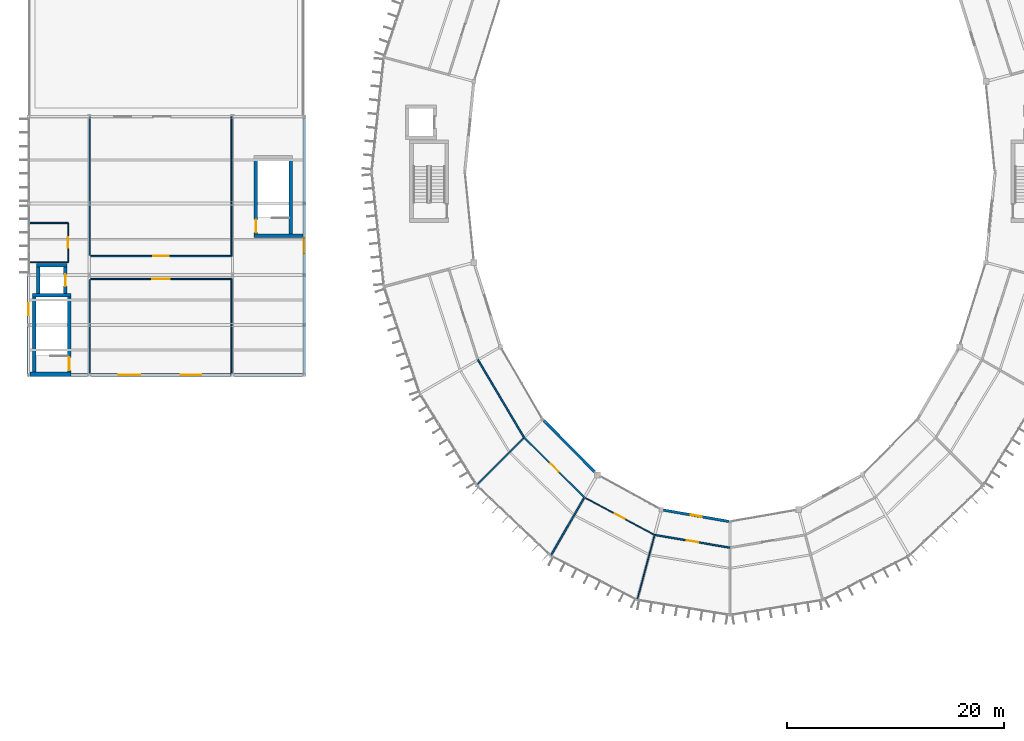
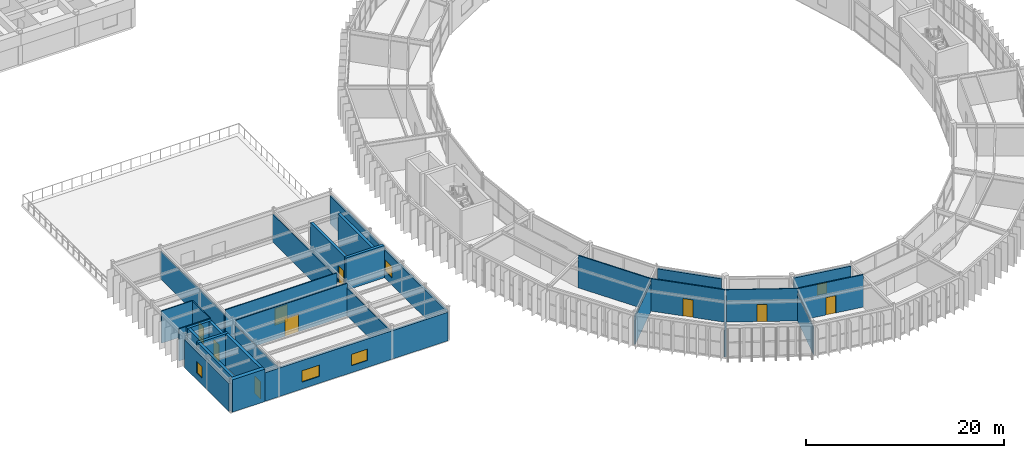
# One storey, part 110 of 130: 31 walls, 9 doors, 5 windows, 14 openings.
"""IFC4 building model written with IfcOpenShell, lengths in metres."""

from ifc_helpers import new_model, si_unit, direction, frame, frame_2d, origin, place, context, subcontext, project, spatial, rectangle, extrude, material, layer, layer_set, type_object, element, fill, save


model = new_model("IFC4")

# Units and contexts
model_context = context("Model", 3, precision=1e-05, world=origin(), true_north=direction((0.0, 1.0)))
body_context = subcontext(model_context, "Body", "Model", "MODEL_VIEW")
ifc_project = project(units=[si_unit("LENGTHUNIT", "METRE"), si_unit("AREAUNIT", "SQUARE_METRE"), si_unit("VOLUMEUNIT", "CUBIC_METRE"), si_unit("PLANEANGLEUNIT", "RADIAN"), si_unit("MASSUNIT", "GRAM", prefix="KILO")], contexts=[model_context])

# Site, building, storey
site_placement = place(None, origin())
site = spatial("IfcSite", under=ifc_project, at=site_placement, CompositionType="ELEMENT")
building_placement = place(site_placement, origin())
building = spatial("IfcBuilding", under=site, at=building_placement, Name="Karori Crest Natural Sciences Institute", CompositionType="ELEMENT")
storey_placement = place(building_placement, frame((0.0, 0.0, 17.5)))
storey = spatial("IfcBuildingStorey", under=building, at=storey_placement, Name="L04", CompositionType="ELEMENT", Elevation=17.5)

# Walls
ifc_material_1 = material(Name="Concrete 50 MPa", Category="concrete")
ifc_layer_1 = layer(ifc_material_1, 0.449951171875, Name="Concrete 50 MPa")
ifc_layer_set_1 = layer_set([ifc_layer_1], Name="Concrete 50 MPa")
wall_type_1 = type_object("IfcWallType", Name="IWT-01-EL", PredefinedType="SHEAR", material=ifc_layer_set_1)
wall_1_placement = place(storey_placement, frame((1.927001953125, 31.27490234375, 0.0), z_axis=(0.0, 0.0, 1.0), x_axis=(1.0, 0.0, 0.0)))
element("IfcWall", 1, at=wall_1_placement, inside=storey, type_object=wall_type_1, Name="Shear wall IW-0245", PredefinedType="SHEAR", context=body_context, shape_type="SweptSolid", body=[
    extrude(rectangle(XDim=3.79296875, YDim=0.449951171875, at=frame_2d((1.896484375, 0.0))), origin(), (0.0, 0.0, 1.0), 4.0),
])
ifc_layer_2 = layer(ifc_material_1, 0.320068359375, Name="Concrete 50 MPa")
ifc_layer_set_2 = layer_set([ifc_layer_2], Name="Concrete 50 MPa")
wall_type_2 = type_object("IfcWallType", Name="IWT-03", PredefinedType="SHEAR", material=ifc_layer_set_2)
wall_2_placement = place(storey_placement, frame((2.179931640625, 38.56005859375, 0.0), z_axis=(0.0, 0.0, 1.0), x_axis=(1.0, 0.0, 0.0)))
element("IfcWall", 2, at=wall_2_placement, inside=storey, type_object=wall_type_2, Name="Shear wall IW-0246", PredefinedType="SHEAR", context=body_context, shape_type="SweptSolid", body=[
    extrude(rectangle(XDim=3.5400390625, YDim=0.320068359375, at=frame_2d((1.77001953125, 0.0))), origin(), (0.0, 0.0, 1.0), 4.0),
])
wall_3_placement = place(storey_placement, frame((2.340087890625, 31.501953125, 0.0), z_axis=(0.0, 0.0, 1.0), x_axis=(0.0, 1.0, 0.0)))
element("IfcWall", 3, at=wall_3_placement, inside=storey, type_object=wall_type_2, Name="Shear wall IW-0247", PredefinedType="SHEAR", context=body_context, shape_type="SweptSolid", body=[
    extrude(rectangle(XDim=6.89599609375, YDim=0.320068359375, at=frame_2d((3.447998046875, 0.0))), origin(), (0.0, 0.0, 1.0), 4.0),
])

# Wall, opening, door
wall_4_placement = place(storey_placement, frame((5.56005859375, 31.501953125, 0.0), z_axis=(0.0, 0.0, 1.0), x_axis=(0.0, 1.0, 0.0)))
wall_4 = element("IfcWall", 4, at=wall_4_placement, inside=storey, type_object=wall_type_2, Name="Shear wall IW-0248", PredefinedType="SHEAR", context=body_context, shape_type="SweptSolid", body=[
    extrude(rectangle(XDim=6.89599609375, YDim=0.320068359375, at=frame_2d((3.447998046875, 0.0))), origin(), (0.0, 0.0, 1.0), 4.0),
])
opening_1_placement = place(wall_4_placement, frame((0.1201171875, 0.0, 0.0)))
opening_1 = element("IfcOpeningElement", 5, at=opening_1_placement, cuts=wall_4, Name="Opening ID-0062", PredefinedType="OPENING", context=body_context, shape_type="SweptSolid", body=[
    extrude(rectangle(XDim=1.199951171875, YDim=2.14990234375, at=frame_2d((0.60009765625, 1.074951171875))), frame((0.0, 0.169921875, 0.0), z_axis=(0.0, -1.0, 0.0), x_axis=(1.0, 0.0, 0.0)), (0.0, 0.0, 1.0), 0.340087890625),
])
ifc_material_2 = material(Name="Stainless steel 316 and fire-rated timber", Category="steel")
door_type_1 = type_object("IfcDoorType", Name="IDT-01", OperationType="NOTDEFINED", PredefinedType="DOOR", material=ifc_material_2)
door_1_placement = place(opening_1_placement, origin())
door_1 = element("IfcDoor", 6, at=door_1_placement, inside=storey, type_object=door_type_1, Name="Stair ST-07 fire door ID-0062", OperationType="SINGLE_SWING_RIGHT", OverallHeight=2.14990234375, OverallWidth=1.199951171875, PredefinedType="DOOR", context=body_context, shape_type="SweptSolid", body=[
    extrude(rectangle(XDim=1.199951171875, YDim=2.14990234375, at=frame_2d((0.60009765625, 1.074951171875))), frame((0.0, 0.02490234375, 0.0), z_axis=(0.0, -1.0, 0.0), x_axis=(1.0, 0.0, 0.0)), (0.0, 0.0, 1.0), 0.050048828125),
])
fill(opening_1, door_1)

# Wall
wall_5_placement = place(storey_placement, frame((22.580078125, 44.0400390625, 0.0), z_axis=(0.0, 0.0, 1.0), x_axis=(1.0, 0.0, 0.0)))
element("IfcWall", 7, at=wall_5_placement, inside=storey, type_object=wall_type_2, Name="Shear wall IW-0269", PredefinedType="SHEAR", context=body_context, shape_type="SweptSolid", body=[
    extrude(rectangle(XDim=4.48486328125, YDim=0.320068359375, at=frame_2d((2.242431640625, 0.0))), origin(), (0.0, 0.0, 1.0), 4.0),
])

# Wall, opening, door
wall_6_placement = place(storey_placement, frame((22.739990234375, 44.201904296875, 0.0), z_axis=(0.0, 0.0, 1.0), x_axis=(0.0, 1.0, 0.0)))
wall_6 = element("IfcWall", 8, at=wall_6_placement, inside=storey, type_object=wall_type_2, Name="Shear wall IW-0271", PredefinedType="SHEAR", context=body_context, shape_type="SweptSolid", body=[
    extrude(rectangle(XDim=6.89599609375, YDim=0.320068359375, at=frame_2d((3.447998046875, 0.0))), origin(), (0.0, 0.0, 1.0), 4.0),
])
opening_2_placement = place(wall_6_placement, frame((0.1201171875, 0.0, 0.0)))
opening_2 = element("IfcOpeningElement", 9, at=opening_2_placement, cuts=wall_6, Name="Opening ID-0068", PredefinedType="OPENING", context=body_context, shape_type="SweptSolid", body=[
    extrude(rectangle(XDim=1.199951171875, YDim=2.14990234375, at=frame_2d((0.60009765625, 1.074951171875))), frame((0.0, 0.169921875, 0.0), z_axis=(0.0, -1.0, 0.0), x_axis=(1.0, 0.0, 0.0)), (0.0, 0.0, 1.0), 0.340087890625),
])
door_2_placement = place(opening_2_placement, origin())
door_2 = element("IfcDoor", 10, at=door_2_placement, inside=storey, type_object=door_type_1, Name="Stair ST-08 fire door ID-0068", OperationType="SINGLE_SWING_RIGHT", OverallHeight=2.14990234375, OverallWidth=1.199951171875, PredefinedType="DOOR", context=body_context, shape_type="SweptSolid", body=[
    extrude(rectangle(XDim=1.199951171875, YDim=2.14990234375, at=frame_2d((0.60009765625, 1.074951171875))), frame((0.0, 0.02490234375, 0.0), z_axis=(0.0, -1.0, 0.0), x_axis=(1.0, 0.0, 0.0)), (0.0, 0.0, 1.0), 0.050048828125),
])
fill(opening_2, door_2)

# Walls
wall_7_placement = place(storey_placement, frame((25.9599609375, 44.201904296875, 0.0), z_axis=(0.0, 0.0, 1.0), x_axis=(0.0, 1.0, 0.0)))
element("IfcWall", 11, at=wall_7_placement, inside=storey, type_object=wall_type_2, Name="Shear wall IW-0272", PredefinedType="SHEAR", context=body_context, shape_type="SweptSolid", body=[
    extrude(rectangle(XDim=6.89599609375, YDim=0.320068359375, at=frame_2d((3.447998046875, 0.0))), origin(), (0.0, 0.0, 1.0), 4.0),
])
wall_8_placement = place(storey_placement, frame((2.544921875, 41.294921875, 0.0), z_axis=(0.0, 0.0, 1.0), x_axis=(1.0, 0.0, 0.0)))
element("IfcWall", 12, at=wall_8_placement, inside=storey, type_object=wall_type_2, Name="Shear wall IW-0484", PredefinedType="SHEAR", context=body_context, shape_type="SweptSolid", body=[
    extrude(rectangle(XDim=2.81005859375, YDim=0.320068359375, at=frame_2d((1.405029296875, 0.0))), origin(), (0.0, 0.0, 1.0), 4.0),
])
wall_9_placement = place(storey_placement, frame((2.705078125, 38.721923828125, 0.0), z_axis=(0.0, 0.0, 1.0), x_axis=(0.0, 1.0, 0.0)))
element("IfcWall", 13, at=wall_9_placement, inside=storey, type_object=wall_type_2, Name="Shear wall IW-0485", PredefinedType="SHEAR", context=body_context, shape_type="SweptSolid", body=[
    extrude(rectangle(XDim=2.4111328125, YDim=0.320068359375, at=frame_2d((1.20556640625, 0.0))), origin(), (0.0, 0.0, 1.0), 4.0),
])

# Wall, opening, door
wall_10_placement = place(storey_placement, frame((5.195068359375, 38.721923828125, 0.0), z_axis=(0.0, 0.0, 1.0), x_axis=(0.0, 1.0, 0.0)))
wall_10 = element("IfcWall", 14, at=wall_10_placement, inside=storey, type_object=wall_type_2, Name="Shear wall IW-0486", PredefinedType="SHEAR", context=body_context, shape_type="SweptSolid", body=[
    extrude(rectangle(XDim=2.4111328125, YDim=0.320068359375, at=frame_2d((1.20556640625, 0.0))), origin(), (0.0, 0.0, 1.0), 4.0),
])
opening_3_placement = place(wall_10_placement, frame((0.655517578125, 0.0, 0.0)))
opening_3 = element("IfcOpeningElement", 15, at=opening_3_placement, cuts=wall_10, Name="Opening LD-0047", PredefinedType="OPENING", context=body_context, shape_type="SweptSolid", body=[
    extrude(rectangle(XDim=1.10009765625, YDim=2.14990234375, at=frame_2d((0.550048828125, 1.074951171875))), frame((0.0, 0.169921875, 0.0), z_axis=(0.0, -1.0, 0.0), x_axis=(1.0, 0.0, 0.0)), (0.0, 0.0, 1.0), 0.340087890625),
])
door_type_2 = type_object("IfcDoorType", Name="LDT-01", OperationType="SLIDING_TO_LEFT", PredefinedType="DOOR", material=ifc_material_2)
door_3_placement = place(opening_3_placement, origin())
door_3 = element("IfcDoor", 16, at=door_3_placement, inside=storey, type_object=door_type_2, Name="Lift LP-03 landing door LD-0047", OperationType="SLIDING_TO_LEFT", OverallHeight=2.14990234375, OverallWidth=1.10009765625, PredefinedType="DOOR", context=body_context, shape_type="SweptSolid", body=[
    extrude(rectangle(XDim=1.10009765625, YDim=2.14990234375, at=frame_2d((0.550048828125, 1.074951171875))), frame((0.0, 0.02490234375, 0.0), z_axis=(0.0, -1.0, 0.0), x_axis=(1.0, 0.0, 0.0)), (0.0, 0.0, 1.0), 0.050048828125),
])
fill(opening_3, door_3)

# Walls
ifc_material_3 = material(Name="Laboratory acoustic drywall partition")
ifc_layer_3 = layer(ifc_material_3, 0.139892578125, Name="Laboratory acoustic drywall partition")
ifc_layer_set_3 = layer_set([ifc_layer_3], Name="Laboratory acoustic drywall partition")
wall_type_3 = type_object("IfcWallType", Name="IWT-07", PredefinedType="PARTITIONING", material=ifc_layer_set_3)
wall_11_placement = place(storey_placement, frame((43.19140625, 32.598388671875, 0.0), z_axis=(0.0, 0.0, 1.0), x_axis=(0.510915698067, -0.859630821614, 0.0)))
element("IfcWall", 17, at=wall_11_placement, inside=storey, type_object=wall_type_3, Name="Partition wall IW-1349", PredefinedType="PARTITIONING", context=body_context, shape_type="SweptSolid", body=[
    extrude(rectangle(XDim=8.334228515625, YDim=0.139892578125, at=frame_2d((4.1669921875, 0.0))), origin(), (0.0, 0.0, 1.0), 4.0),
])
wall_12_placement = place(storey_placement, frame((47.392822265625, 25.37744140625, 0.0), z_axis=(0.0, 0.0, 1.0), x_axis=(-0.707086637129, -0.70712692467, 0.0)))
element("IfcWall", 18, at=wall_12_placement, inside=storey, type_object=wall_type_3, Name="Partition wall IW-1351", PredefinedType="PARTITIONING", context=body_context, shape_type="SweptSolid", body=[
    extrude(rectangle(XDim=6.06005859375, YDim=0.139892578125, at=frame_2d((3.030029296875, 0.0))), origin(), (0.0, 0.0, 1.0), 3.465087890625),
])

# Wall, opening, door
wall_13_placement = place(storey_placement, frame((47.500732421875, 25.38330078125, 0.0), z_axis=(0.0, 0.0, 1.0), x_axis=(0.71042636545, -0.703771539119, 0.0)))
wall_13 = element("IfcWall", 19, at=wall_13_placement, inside=storey, type_object=wall_type_3, Name="Partition wall IW-1352", PredefinedType="PARTITIONING", context=body_context, shape_type="SweptSolid", body=[
    extrude(rectangle(XDim=7.74072265625, YDim=0.139892578125, at=frame_2d((3.870361328125, 0.0))), origin(), (0.0, 0.0, 1.0), 4.0),
])
opening_4_placement = place(wall_13_placement, frame((3.345458984375, 0.0, 0.0)))
opening_4 = element("IfcOpeningElement", 20, at=opening_4_placement, cuts=wall_13, Name="Opening ID-0425", PredefinedType="OPENING", context=body_context, shape_type="SweptSolid", body=[
    extrude(rectangle(XDim=1.050048828125, YDim=2.14990234375, at=frame_2d((0.52490234375, 1.074951171875))), frame((0.0, 0.080078125, 0.0), z_axis=(0.0, -1.0, 0.0), x_axis=(1.0, 0.0, 0.0)), (0.0, 0.0, 1.0), 0.159912109375),
])
door_type_3 = type_object("IfcDoorType", Name="IDT-03", OperationType="NOTDEFINED", PredefinedType="DOOR", material=ifc_material_2)
door_4_placement = place(opening_4_placement, origin())
door_4 = element("IfcDoor", 21, at=door_4_placement, inside=storey, type_object=door_type_3, Name="Dry Optics Physics Laboratory door ID-0425", OperationType="SINGLE_SWING_RIGHT", OverallHeight=2.14990234375, OverallWidth=1.050048828125, PredefinedType="DOOR", context=body_context, shape_type="SweptSolid", body=[
    extrude(rectangle(XDim=1.050048828125, YDim=2.14990234375, at=frame_2d((0.52490234375, 1.074951171875))), frame((0.0, 0.02490234375, 0.0), z_axis=(0.0, -1.0, 0.0), x_axis=(1.0, 0.0, 0.0)), (0.0, 0.0, 1.0), 0.050048828125),
])
fill(opening_4, door_4)

# Wall
wall_14_placement = place(storey_placement, frame((52.9599609375, 19.8662109375, 0.0), z_axis=(0.0, 0.0, 1.0), x_axis=(-0.500008418462, -0.866020543329, 0.0)))
element("IfcWall", 22, at=wall_14_placement, inside=storey, type_object=wall_type_3, Name="Partition wall IW-1353", PredefinedType="PARTITIONING", context=body_context, shape_type="SweptSolid", body=[
    extrude(rectangle(XDim=6.06005859375, YDim=0.139892578125, at=frame_2d((3.030029296875, 0.0))), origin(), (0.0, 0.0, 1.0), 3.31298828125),
])

# Wall, opening, door
wall_15_placement = place(storey_placement, frame((59.51513671875, 16.47021484375, 0.0), z_axis=(0.0, 0.0, 1.0), x_axis=(0.985861622289, -0.167561516157, 0.0)))
wall_15 = element("IfcWall", 23, at=wall_15_placement, inside=storey, type_object=wall_type_3, Name="Partition wall IW-1356", PredefinedType="PARTITIONING", context=body_context, shape_type="SweptSolid", body=[
    extrude(rectangle(XDim=6.9833984375, YDim=0.139892578125, at=frame_2d((3.49169921875, 0.0))), origin(), (0.0, 0.0, 1.0), 4.0),
])
opening_5_placement = place(wall_15_placement, frame((2.966796875, 0.0, 0.0)))
opening_5 = element("IfcOpeningElement", 24, at=opening_5_placement, cuts=wall_15, Name="Opening ID-0427", PredefinedType="OPENING", context=body_context, shape_type="SweptSolid", body=[
    extrude(rectangle(XDim=1.050048828125, YDim=2.14990234375, at=frame_2d((0.52490234375, 1.074951171875))), frame((0.0, 0.080078125, 0.0), z_axis=(0.0, -1.0, 0.0), x_axis=(1.0, 0.0, 0.0)), (0.0, 0.0, 1.0), 0.159912109375),
])
door_5_placement = place(opening_5_placement, origin())
door_5 = element("IfcDoor", 25, at=door_5_placement, inside=storey, type_object=door_type_3, Name="Atmospheric Physics Laboratory door ID-0427", OperationType="SINGLE_SWING_RIGHT", OverallHeight=2.14990234375, OverallWidth=1.050048828125, PredefinedType="DOOR", context=body_context, shape_type="SweptSolid", body=[
    extrude(rectangle(XDim=1.050048828125, YDim=2.14990234375, at=frame_2d((0.52490234375, 1.074951171875))), frame((0.0, 0.02490234375, 0.0), z_axis=(0.0, -1.0, 0.0), x_axis=(1.0, 0.0, 0.0)), (0.0, 0.0, 1.0), 0.050048828125),
])
fill(opening_5, door_5)

ifc_material_4 = material(Name="Write-up office acoustic partition")
ifc_layer_4 = layer(ifc_material_4, 0.1201171875, Name="Write-up office acoustic partition")
ifc_layer_set_4 = layer_set([ifc_layer_4], Name="Write-up office acoustic partition")
wall_type_4 = type_object("IfcWallType", Name="IWT-08", PredefinedType="PARTITIONING", material=ifc_layer_set_4)
wall_16_placement = place(storey_placement, frame((7.531982421875, 40.050048828125, 0.0), z_axis=(0.0, 0.0, 1.0), x_axis=(1.0, 0.0, 0.0)))
wall_16 = element("IfcWall", 26, at=wall_16_placement, inside=storey, type_object=wall_type_4, Name="Partition wall IW-1127", PredefinedType="PARTITIONING", context=body_context, shape_type="SweptSolid", body=[
    extrude(rectangle(XDim=12.968017578125, YDim=0.1201171875, at=frame_2d((6.48388671875, 0.0))), origin(), (0.0, 0.0, 1.0), 3.97998046875),
])
opening_6_placement = place(wall_16_placement, frame((5.68408203125, 0.0, 0.0)))
opening_6 = element("IfcOpeningElement", 27, at=opening_6_placement, cuts=wall_16, Name="Opening ID-0330", PredefinedType="OPENING", context=body_context, shape_type="SweptSolid", body=[
    extrude(rectangle(XDim=1.60009765625, YDim=2.179931640625, at=frame_2d((0.800048828125, 1.08984375))), frame((0.0, 0.070068359375, 0.0), z_axis=(0.0, -1.0, 0.0), x_axis=(1.0, 0.0, 0.0)), (0.0, 0.0, 1.0), 0.14013671875),
])
ifc_material_5 = material(Name="Anodised aluminium and acoustic timber", Category="wood")
door_type_4 = type_object("IfcDoorType", Name="IDT-13", OperationType="DOUBLE_DOOR_SINGLE_SWING", PredefinedType="DOOR", material=ifc_material_5)
door_6_placement = place(opening_6_placement, origin())
door_6 = element("IfcDoor", 28, at=door_6_placement, inside=storey, type_object=door_type_4, Name="Research Library Reading Room door ID-0330", OperationType="DOUBLE_DOOR_SINGLE_SWING", OverallHeight=2.179931640625, OverallWidth=1.60009765625, PredefinedType="DOOR", context=body_context, shape_type="SweptSolid", body=[
    extrude(rectangle(XDim=1.60009765625, YDim=2.179931640625, at=frame_2d((0.800048828125, 1.08984375))), frame((0.0, 0.02490234375, 0.0), z_axis=(0.0, -1.0, 0.0), x_axis=(1.0, 0.0, 0.0)), (0.0, 0.0, 1.0), 0.050048828125),
])
fill(opening_6, door_6)

# Walls
wall_17_placement = place(storey_placement, frame((7.449951171875, 31.199951171875, 0.0), z_axis=(0.0, 0.0, 1.0), x_axis=(0.0, 1.0, 0.0)))
element("IfcWall", 29, at=wall_17_placement, inside=storey, type_object=wall_type_4, Name="Partition wall IW-1128", PredefinedType="PARTITIONING", context=body_context, shape_type="SweptSolid", body=[
    extrude(rectangle(XDim=8.7880859375, YDim=0.1201171875, at=frame_2d((4.39404296875, 0.0))), origin(), (0.0, 0.0, 1.0), 3.445068359375),
])
wall_18_placement = place(storey_placement, frame((20.5, 31.199951171875, 0.0), z_axis=(0.0, 0.0, 1.0), x_axis=(0.0, 1.0, 0.0)))
element("IfcWall", 30, at=wall_18_placement, inside=storey, type_object=wall_type_4, Name="Partition wall IW-1129", PredefinedType="PARTITIONING", context=body_context, shape_type="SweptSolid", body=[
    extrude(rectangle(XDim=8.85009765625, YDim=0.1201171875, at=frame_2d((4.425048828125, 0.0))), origin(), (0.0, 0.0, 1.0), 3.445068359375),
])

# Wall, opening, door
wall_19_placement = place(storey_placement, frame((7.531982421875, 42.14990234375, 0.0), z_axis=(0.0, 0.0, 1.0), x_axis=(1.0, 0.0, 0.0)))
wall_19 = element("IfcWall", 31, at=wall_19_placement, inside=storey, type_object=wall_type_4, Name="Partition wall IW-1130", PredefinedType="PARTITIONING", context=body_context, shape_type="SweptSolid", body=[
    extrude(rectangle(XDim=12.968017578125, YDim=0.1201171875, at=frame_2d((6.48388671875, 0.0))), origin(), (0.0, 0.0, 1.0), 3.97998046875),
])
opening_7_placement = place(wall_19_placement, frame((5.759033203125, 0.0, 0.0)))
opening_7 = element("IfcOpeningElement", 32, at=opening_7_placement, cuts=wall_19, Name="Opening ID-0331", PredefinedType="OPENING", context=body_context, shape_type="SweptSolid", body=[
    extrude(rectangle(XDim=1.449951171875, YDim=2.1201171875, at=frame_2d((0.72509765625, 1.06005859375))), frame((0.0, 0.070068359375, 0.0), z_axis=(0.0, -1.0, 0.0), x_axis=(1.0, 0.0, 0.0)), (0.0, 0.0, 1.0), 0.14013671875),
])
door_type_5 = type_object("IfcDoorType", Name="IDT-11", OperationType="DOUBLE_DOOR_SINGLE_SWING", PredefinedType="DOOR", material=ifc_material_5)
door_7_placement = place(opening_7_placement, origin())
door_7 = element("IfcDoor", 33, at=door_7_placement, inside=storey, type_object=door_type_5, Name="Botanical Terrace Colloquium Room door ID-0331", OperationType="DOUBLE_DOOR_SINGLE_SWING", OverallHeight=2.1201171875, OverallWidth=1.449951171875, PredefinedType="DOOR", context=body_context, shape_type="SweptSolid", body=[
    extrude(rectangle(XDim=1.449951171875, YDim=2.1201171875, at=frame_2d((0.72509765625, 1.06005859375))), frame((0.0, 0.02490234375, 0.0), z_axis=(0.0, -1.0, 0.0), x_axis=(1.0, 0.0, 0.0)), (0.0, 0.0, 1.0), 0.050048828125),
])
fill(opening_7, door_7)

# Walls
wall_20_placement = place(storey_placement, frame((7.449951171875, 42.2119140625, 0.0), z_axis=(0.0, 0.0, 1.0), x_axis=(0.0, 1.0, 0.0)))
element("IfcWall", 34, at=wall_20_placement, inside=storey, type_object=wall_type_4, Name="Partition wall IW-1131", PredefinedType="PARTITIONING", context=body_context, shape_type="SweptSolid", body=[
    extrude(rectangle(XDim=12.7880859375, YDim=0.1201171875, at=frame_2d((6.39404296875, 0.0))), origin(), (0.0, 0.0, 1.0), 3.445068359375),
])
wall_21_placement = place(storey_placement, frame((20.5, 42.14990234375, 0.0), z_axis=(0.0, 0.0, 1.0), x_axis=(0.0, 1.0, 0.0)))
element("IfcWall", 35, at=wall_21_placement, inside=storey, type_object=wall_type_4, Name="Partition wall IW-1132", PredefinedType="PARTITIONING", context=body_context, shape_type="SweptSolid", body=[
    extrude(rectangle(XDim=12.85009765625, YDim=0.1201171875, at=frame_2d((6.425048828125, 0.0))), origin(), (0.0, 0.0, 1.0), 3.445068359375),
])
ifc_material_6 = material(Name="Washroom moisture-resistant partition")
ifc_layer_5 = layer(ifc_material_6, 0.10009765625, Name="Washroom moisture-resistant partition")
ifc_layer_set_5 = layer_set([ifc_layer_5], Name="Washroom moisture-resistant partition")
wall_type_5 = type_object("IfcWallType", Name="IWT-09", PredefinedType="PARTITIONING", material=ifc_layer_set_5)
for number, where, z_axis, x_axis, name in (
    (36, (1.800048828125, 41.60009765625, 0.0), (0.0, 0.0, 1.0), (1.0, 0.0, 0.0), "Partition wall IW-1133"),
    (37, (1.800048828125, 45.199951171875, 0.0), (0.0, 0.0, 1.0), (1.0, 0.0, 0.0), "Partition wall IW-1134"),
):
    element("IfcWall", number, at=place(storey_placement, frame(where, z_axis=z_axis, x_axis=x_axis)), inside=storey, type_object=wall_type_5, Name=name, PredefinedType="PARTITIONING", context=body_context, shape_type="SweptSolid", body=[
        extrude(rectangle(XDim=3.64990234375, YDim=0.10009765625, at=frame_2d((1.824951171875, 0.0))), origin(), (0.0, 0.0, 1.0), 3.97998046875),
    ])

# Wall, opening, door
wall_22_placement = place(storey_placement, frame((5.449951171875, 41.60009765625, 0.0), z_axis=(0.0, 0.0, 1.0), x_axis=(0.0, 1.0, 0.0)))
wall_22 = element("IfcWall", 38, at=wall_22_placement, inside=storey, type_object=wall_type_5, Name="Partition wall IW-1135", PredefinedType="PARTITIONING", context=body_context, shape_type="SweptSolid", body=[
    extrude(rectangle(XDim=3.599853515625, YDim=0.10009765625, at=frame_2d((1.7998046875, 0.0))), origin(), (0.0, 0.0, 1.0), 3.97998046875),
])
opening_8_placement = place(wall_22_placement, frame((1.300048828125, 0.0, 0.0)))
opening_8 = element("IfcOpeningElement", 39, at=opening_8_placement, cuts=wall_22, Name="Opening ID-0332", PredefinedType="OPENING", context=body_context, shape_type="SweptSolid", body=[
    extrude(rectangle(XDim=1.0, YDim=2.10009765625, at=frame_2d((0.5, 1.050048828125))), frame((0.0, 0.06005859375, 0.0), z_axis=(0.0, -1.0, 0.0), x_axis=(1.0, 0.0, 0.0)), (0.0, 0.0, 1.0), 0.1201171875),
])
door_type_6 = type_object("IfcDoorType", Name="IDT-09", OperationType="NOTDEFINED", PredefinedType="DOOR", material=ifc_material_5)
door_8_placement = place(opening_8_placement, origin())
door_8 = element("IfcDoor", 40, at=door_8_placement, inside=storey, type_object=door_type_6, Name="Accessible WC door ID-0332", OperationType="SINGLE_SWING_RIGHT", OverallHeight=2.10009765625, OverallWidth=1.0, PredefinedType="DOOR", context=body_context, shape_type="SweptSolid", body=[
    extrude(rectangle(XDim=1.0, YDim=2.10009765625, at=frame_2d((0.5, 1.050048828125))), frame((0.0, 0.02490234375, 0.0), z_axis=(0.0, -1.0, 0.0), x_axis=(1.0, 0.0, 0.0)), (0.0, 0.0, 1.0), 0.050048828125),
])
fill(opening_8, door_8)

wall_23_placement = place(storey_placement, frame((53.0634765625, 19.901611328125, 0.0), z_axis=(0.0, 0.0, 1.0), x_axis=(0.881826283139, -0.471574391125, 0.0)))
wall_23 = element("IfcWall", 41, at=wall_23_placement, inside=storey, type_object=wall_type_5, Name="Partition wall IW-1354", PredefinedType="PARTITIONING", context=body_context, shape_type="SweptSolid", body=[
    extrude(rectangle(XDim=7.2578125, YDim=0.10009765625, at=frame_2d((3.62890625, 0.0))), origin(), (0.0, 0.0, 1.0), 4.0),
])
opening_9_placement = place(wall_23_placement, frame((3.12890625, 0.0, 0.0)))
opening_9 = element("IfcOpeningElement", 42, at=opening_9_placement, cuts=wall_23, Name="Opening ID-0426", PredefinedType="OPENING", context=body_context, shape_type="SweptSolid", body=[
    extrude(rectangle(XDim=1.0, YDim=2.10009765625, at=frame_2d((0.5, 1.050048828125))), frame((0.0, 0.06005859375, 0.0), z_axis=(0.0, -1.0, 0.0), x_axis=(1.0, 0.0, 0.0)), (0.0, 0.0, 1.0), 0.1201171875),
])
door_9_placement = place(opening_9_placement, origin())
door_9 = element("IfcDoor", 43, at=door_9_placement, inside=storey, type_object=door_type_6, Name="Laboratory Washroom WC door ID-0426", OperationType="SINGLE_SWING_LEFT", OverallHeight=2.10009765625, OverallWidth=1.0, PredefinedType="DOOR", context=body_context, shape_type="SweptSolid", body=[
    extrude(rectangle(XDim=1.0, YDim=2.10009765625, at=frame_2d((0.5, 1.050048828125))), frame((0.0, 0.02490234375, 0.0), z_axis=(0.0, -1.0, 0.0), x_axis=(1.0, 0.0, 0.0)), (0.0, 0.0, 1.0), 0.050048828125),
])
fill(opening_9, door_9)

# Walls
wall_24_placement = place(storey_placement, frame((59.44287109375, 16.401611328125, 0.0), z_axis=(0.0, 0.0, 1.0), x_axis=(-0.258805895167, -0.965929349708, 0.0)))
element("IfcWall", 44, at=wall_24_placement, inside=storey, type_object=wall_type_5, Name="Partition wall IW-1355", PredefinedType="PARTITIONING", context=body_context, shape_type="SweptSolid", body=[
    extrude(rectangle(XDim=6.06005859375, YDim=0.10009765625, at=frame_2d((3.030029296875, 0.0))), origin(), (0.0, 0.0, 1.0), 3.322998046875),
])
ifc_material_7 = material(Name="Precast concrete 40 MPa", Category="concrete")
ifc_layer_6 = layer(ifc_material_7, 0.239990234375, Name="Precast concrete 40 MPa")
ifc_layer_set_6 = layer_set([ifc_layer_6], Name="Precast concrete 40 MPa")
wall_type_6 = type_object("IfcWallType", Name="WT-04", PredefinedType="SOLIDWALL", material=ifc_layer_set_6)
wall_25_placement = place(storey_placement, frame((49.247802734375, 27.02880859375, 0.0), z_axis=(0.0, 0.0, 1.0), x_axis=(0.702641034555, -0.711544500759, 0.0)))
element("IfcWall", 45, at=wall_25_placement, inside=storey, type_object=wall_type_6, Name="Exterior wall EW-0083", PredefinedType="SOLIDWALL", context=body_context, shape_type="SweptSolid", body=[
    extrude(rectangle(XDim=6.663330078125, YDim=0.239990234375, at=frame_2d((3.33154296875, 0.0))), origin(), (0.0, 0.0, 1.0), 3.64990234375),
])

# Wall, opening, window
wall_26_placement = place(storey_placement, frame((60.28271484375, 18.7626953125, 0.0), z_axis=(0.0, 0.0, 1.0), x_axis=(0.985246064368, -0.171143777706, 0.0)))
wall_26 = element("IfcWall", 46, at=wall_26_placement, inside=storey, type_object=wall_type_6, Name="Exterior wall EW-0084", PredefinedType="SOLIDWALL", context=body_context, shape_type="SweptSolid", body=[
    extrude(rectangle(XDim=6.10693359375, YDim=0.239990234375, at=frame_2d((3.053466796875, 0.0))), origin(), (0.0, 0.0, 1.0), 3.64990234375),
])
opening_10_placement = place(wall_26_placement, frame((2.5283203125, 0.0, 0.85009765625)))
opening_10 = element("IfcOpeningElement", 47, at=opening_10_placement, cuts=wall_26, Name="Opening WN-0035", PredefinedType="OPENING", context=body_context, shape_type="SweptSolid", body=[
    extrude(rectangle(XDim=1.050048828125, YDim=1.35009765625, at=frame_2d((0.52490234375, 0.675048828125))), frame((0.0, 0.1298828125, 0.0), z_axis=(0.0, -1.0, 0.0), x_axis=(1.0, 0.0, 0.0)), (0.0, 0.0, 1.0), 0.260009765625),
])
ifc_material_8 = material(Name="Double low-E laminated glass", Category="glass")
window_type_1 = type_object("IfcWindowType", Name="WNT-18", PartitioningType="SINGLE_PANEL", PredefinedType="WINDOW", material=ifc_material_8)
window_1_placement = place(opening_10_placement, origin())
window_1 = element("IfcWindow", 48, at=window_1_placement, inside=storey, type_object=window_type_1, Name="Window WN-0035", OverallHeight=1.35009765625, OverallWidth=1.050048828125, PartitioningType="SINGLE_PANEL", PredefinedType="WINDOW", context=body_context, shape_type="SweptSolid", body=[
    extrude(rectangle(XDim=1.050048828125, YDim=1.35009765625, at=frame_2d((0.52490234375, 0.675048828125))), frame((0.0, 0.030029296875, 0.0), z_axis=(0.0, -1.0, 0.0), x_axis=(1.0, 0.0, 0.0)), (0.0, 0.0, 1.0), 0.06005859375),
])
fill(opening_10, window_1)

# Wall, openings, windows
wall_27_placement = place(storey_placement, frame((27.076904296875, 31.199951171875, 0.0), z_axis=(0.0, 0.0, 1.0), x_axis=(-1.0, 0.0, 0.0)))
wall_27 = element("IfcWall", 49, at=wall_27_placement, inside=storey, type_object=wall_type_6, Name="Exterior wall EW-0152", PredefinedType="SOLIDWALL", context=body_context, shape_type="SweptSolid", body=[
    extrude(rectangle(XDim=21.35498046875, YDim=0.239990234375, at=frame_2d((10.677490234375, 0.0))), origin(), (0.0, 0.0, 1.0), 3.5048828125),
])
opening_11_placement = place(wall_27_placement, frame((9.376953125, 0.0, 0.85009765625)))
opening_11 = element("IfcOpeningElement", 50, at=opening_11_placement, cuts=wall_27, Name="Opening WN-0095", PredefinedType="OPENING", context=body_context, shape_type="SweptSolid", body=[
    extrude(rectangle(XDim=1.85009765625, YDim=1.39990234375, at=frame_2d((0.925048828125, 0.699951171875))), frame((0.0, 0.1298828125, 0.0), z_axis=(0.0, -1.0, 0.0), x_axis=(1.0, 0.0, 0.0)), (0.0, 0.0, 1.0), 0.260009765625),
])
opening_12_placement = place(wall_27_placement, frame((14.97705078125, 0.0, 0.85009765625)))
opening_12 = element("IfcOpeningElement", 51, at=opening_12_placement, cuts=wall_27, Name="Opening WN-0096", PredefinedType="OPENING", context=body_context, shape_type="SweptSolid", body=[
    extrude(rectangle(XDim=2.0, YDim=1.39990234375, at=frame_2d((1.0, 0.699951171875))), frame((0.0, 0.1298828125, 0.0), z_axis=(0.0, -1.0, 0.0), x_axis=(1.0, 0.0, 0.0)), (0.0, 0.0, 1.0), 0.260009765625),
])
window_type_2 = type_object("IfcWindowType", Name="WNT-06", PartitioningType="SINGLE_PANEL", PredefinedType="WINDOW", material=ifc_material_8)
window_2_placement = place(opening_11_placement, origin())
window_2 = element("IfcWindow", 52, at=window_2_placement, inside=storey, type_object=window_type_2, Name="Window WN-0095", OverallHeight=1.39990234375, OverallWidth=1.85009765625, PartitioningType="SINGLE_PANEL", PredefinedType="WINDOW", context=body_context, shape_type="SweptSolid", body=[
    extrude(rectangle(XDim=1.85009765625, YDim=1.39990234375, at=frame_2d((0.925048828125, 0.699951171875))), frame((0.0, 0.030029296875, 0.0), z_axis=(0.0, -1.0, 0.0), x_axis=(1.0, 0.0, 0.0)), (0.0, 0.0, 1.0), 0.06005859375),
])
fill(opening_11, window_2)
window_type_3 = type_object("IfcWindowType", Name="WNT-07", PartitioningType="SINGLE_PANEL", PredefinedType="WINDOW", material=ifc_material_8)
window_3_placement = place(opening_12_placement, origin())
window_3 = element("IfcWindow", 53, at=window_3_placement, inside=storey, type_object=window_type_3, Name="Window WN-0096", OverallHeight=1.39990234375, OverallWidth=2.0, PartitioningType="SINGLE_PANEL", PredefinedType="WINDOW", context=body_context, shape_type="SweptSolid", body=[
    extrude(rectangle(XDim=2.0, YDim=1.39990234375, at=frame_2d((1.0, 0.699951171875))), frame((0.0, 0.030029296875, 0.0), z_axis=(0.0, -1.0, 0.0), x_axis=(1.0, 0.0, 0.0)), (0.0, 0.0, 1.0), 0.06005859375),
])
fill(opening_12, window_3)

# Wall, opening, window
ifc_layer_7 = layer(ifc_material_7, 0.219970703125, Name="Precast concrete 40 MPa")
ifc_layer_set_7 = layer_set([ifc_layer_7], Name="Precast concrete 40 MPa")
wall_type_7 = type_object("IfcWallType", Name="WT-05", PredefinedType="SOLIDWALL", material=ifc_layer_set_7)
wall_28_placement = place(storey_placement, frame((1.800048828125, 31.322998046875, 0.0), z_axis=(0.0, 0.0, 1.0), x_axis=(0.0, 1.0, 0.0)))
wall_28 = element("IfcWall", 54, at=wall_28_placement, inside=storey, type_object=wall_type_7, Name="Exterior wall EW-0149", PredefinedType="SOLIDWALL", context=body_context, shape_type="SweptSolid", body=[
    extrude(rectangle(XDim=8.9541015625, YDim=0.219970703125, at=frame_2d((4.47705078125, 0.0))), origin(), (0.0, 0.0, 1.0), 3.445068359375),
])
opening_13_placement = place(wall_28_placement, frame((5.39990234375, 0.0, 0.85009765625)))
opening_13 = element("IfcOpeningElement", 55, at=opening_13_placement, cuts=wall_28, Name="Opening WN-0092", PredefinedType="OPENING", context=body_context, shape_type="SweptSolid", body=[
    extrude(rectangle(XDim=1.10009765625, YDim=1.39990234375, at=frame_2d((0.550048828125, 0.699951171875))), frame((0.0, 0.1201171875, 0.0), z_axis=(0.0, -1.0, 0.0), x_axis=(1.0, 0.0, 0.0)), (0.0, 0.0, 1.0), 0.239990234375),
])
window_type_4 = type_object("IfcWindowType", Name="WNT-01", PartitioningType="SINGLE_PANEL", PredefinedType="WINDOW", material=ifc_material_8)
window_4_placement = place(opening_13_placement, origin())
window_4 = element("IfcWindow", 56, at=window_4_placement, inside=storey, type_object=window_type_4, Name="Window WN-0092", OverallHeight=1.39990234375, OverallWidth=1.10009765625, PartitioningType="SINGLE_PANEL", PredefinedType="WINDOW", context=body_context, shape_type="SweptSolid", body=[
    extrude(rectangle(XDim=1.10009765625, YDim=1.39990234375, at=frame_2d((0.550048828125, 0.699951171875))), frame((0.0, 0.030029296875, 0.0), z_axis=(0.0, -1.0, 0.0), x_axis=(1.0, 0.0, 0.0)), (0.0, 0.0, 1.0), 0.06005859375),
])
fill(opening_13, window_4)

wall_29_placement = place(storey_placement, frame((27.199951171875, 54.876953125, 0.0), z_axis=(0.0, 0.0, 1.0), x_axis=(0.0, -1.0, 0.0)))
wall_29 = element("IfcWall", 57, at=wall_29_placement, inside=storey, type_object=wall_type_7, Name="Exterior wall EW-0151", PredefinedType="SOLIDWALL", context=body_context, shape_type="SweptSolid", body=[
    extrude(rectangle(XDim=23.553955078125, YDim=0.219970703125, at=frame_2d((11.77685546875, 0.0))), origin(), (0.0, 0.0, 1.0), 3.445068359375),
])
opening_14_placement = place(wall_29_placement, frame((11.076904296875, 0.0, 0.85009765625)))
opening_14 = element("IfcOpeningElement", 58, at=opening_14_placement, cuts=wall_29, Name="Opening WN-0094", PredefinedType="OPENING", context=body_context, shape_type="SweptSolid", body=[
    extrude(rectangle(XDim=1.39990234375, YDim=1.39990234375, at=frame_2d((0.699951171875, 0.699951171875))), frame((0.0, 0.1201171875, 0.0), z_axis=(0.0, -1.0, 0.0), x_axis=(1.0, 0.0, 0.0)), (0.0, 0.0, 1.0), 0.239990234375),
])
window_type_5 = type_object("IfcWindowType", Name="WNT-03", PartitioningType="SINGLE_PANEL", PredefinedType="WINDOW", material=ifc_material_8)
window_5_placement = place(opening_14_placement, origin())
window_5 = element("IfcWindow", 59, at=window_5_placement, inside=storey, type_object=window_type_5, Name="Window WN-0094", OverallHeight=1.39990234375, OverallWidth=1.39990234375, PartitioningType="SINGLE_PANEL", PredefinedType="WINDOW", context=body_context, shape_type="SweptSolid", body=[
    extrude(rectangle(XDim=1.39990234375, YDim=1.39990234375, at=frame_2d((0.699951171875, 0.699951171875))), frame((0.0, 0.030029296875, 0.0), z_axis=(0.0, -1.0, 0.0), x_axis=(1.0, 0.0, 0.0)), (0.0, 0.0, 1.0), 0.06005859375),
])
fill(opening_14, window_5)

save(model, "model.ifc")
